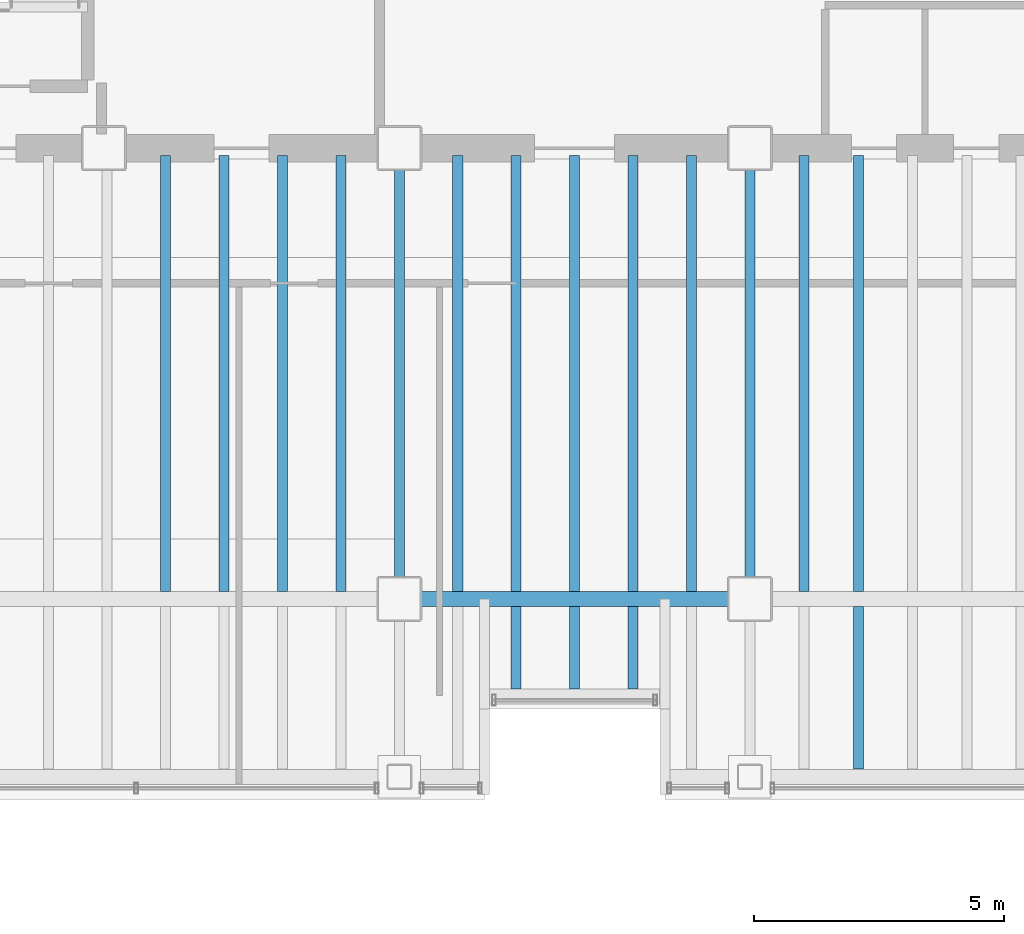
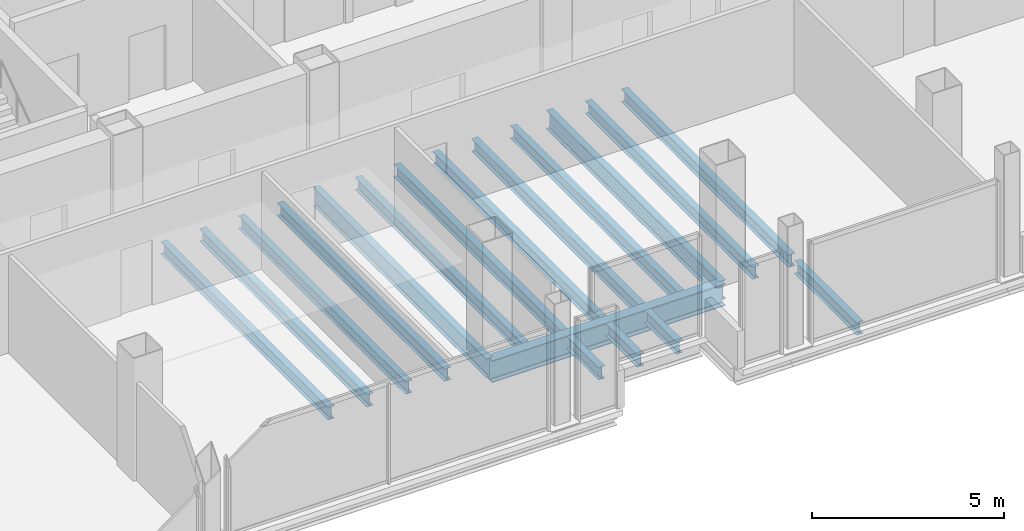
# One storey, part 5 of 19: 18 beams.
"""IFC4 building model written with IfcOpenShell, lengths in metres."""

import ifcopenshell
import ifcopenshell.guid

model = None  # the IFC model being written
_history = None  # IfcOwnerHistory: only IFC2X3 demands one
_inside = {}  # id of a spatial element -> (the spatial element, [elements in it])
_under = {}  # id of a project, library or spatial element -> (it, [spatial elements below it])
_declared = {}  # id of a project -> (the project, [libraries it declares])
_typed = {}  # id of a type object -> (the type object, [elements of that type])
_made_of = {}  # id of a material, layer set ... -> (it, [elements and type objects made of it])


def new_model(schema):
    """Start an empty IFC model of exactly this schema.

    Asked for "IFC4X3", IfcOpenShell would pick the latest addendum, in which some entities
    have other attributes; the version numbers below select the first issue.
    IFC2X3 requires an IfcOwnerHistory on every rooted entity: one is made here for all.
    """
    global model, _history
    if schema == "IFC4X3":
        model = ifcopenshell.file(schema_version=(4, 3, 0, 0))
    else:
        model = ifcopenshell.file(schema=schema)
    _inside.clear()
    _under.clear()
    _declared.clear()
    _typed.clear()
    _made_of.clear()
    _history = None
    if model.schema == "IFC2X3":
        org = make("IfcOrganization", Name="unknown")
        user = make(
            "IfcPersonAndOrganization",
            ThePerson=make("IfcPerson", FamilyName="unknown"),
            TheOrganization=org,
        )
        app = make(
            "IfcApplication",
            ApplicationDeveloper=org,
            Version="unknown",
            ApplicationFullName="unknown",
            ApplicationIdentifier="unknown",
        )
        _history = make(
            "IfcOwnerHistory",
            OwningUser=user,
            OwningApplication=app,
            ChangeAction="ADDED",
            CreationDate=0,
        )
    return model


def make(cls, **values):
    """One entity of the class cls with the attributes given. An attribute that is None is left unset."""
    return model.create_entity(
        cls, **{name: value for name, value in values.items() if value is not None}
    )


def rooted(cls, **values):
    """An entity with a GlobalId (a new one), such as an element, a storey or a relation."""
    return make(cls, GlobalId=ifcopenshell.guid.new(), OwnerHistory=_history, **values)


def si_unit(unit_type, name, prefix=None):
    """IfcSIUnit, for example si_unit("LENGTHUNIT", "METRE", prefix="MILLI")."""
    return make("IfcSIUnit", UnitType=unit_type, Prefix=prefix, Name=name)


def assignment(units):
    """IfcUnitAssignment: the units of a project."""
    return None if units is None else make("IfcUnitAssignment", Units=units)


def point(xyz):
    """IfcCartesianPoint."""
    return None if xyz is None else make("IfcCartesianPoint", Coordinates=xyz)


def direction(xyz):
    """IfcDirection."""
    return None if xyz is None else make("IfcDirection", DirectionRatios=xyz)


def frame(location, z_axis=None, x_axis=None):
    """IfcAxis2Placement3D, a coordinate frame: its origin and axes. An axis left out is left unset."""
    return make(
        "IfcAxis2Placement3D",
        Location=point(location),
        Axis=direction(z_axis),
        RefDirection=direction(x_axis),
    )


def frame_2d(location, x_axis=None):
    """IfcAxis2Placement2D, a coordinate frame in the plane: its origin and x axis."""
    return make(
        "IfcAxis2Placement2D", Location=point(location), RefDirection=direction(x_axis)
    )


def origin():
    """The frame at (0, 0, 0) with its axes left unset."""
    return frame((0.0, 0.0, 0.0))


def origin_2d():
    """The frame at (0, 0) in the plane with its x axis left unset."""
    return frame_2d((0.0, 0.0))


def place(relative_to, where):
    """IfcLocalPlacement: puts the frame where relative to a parent placement (None: the world)."""
    return make(
        "IfcLocalPlacement", PlacementRelTo=relative_to, RelativePlacement=where
    )


def context(
    kind, dimensions, precision=None, world=None, true_north=None, identifier=None
):
    """IfcGeometricRepresentationContext, for example the 3D "Model" context."""
    return make(
        "IfcGeometricRepresentationContext",
        ContextIdentifier=identifier,
        ContextType=kind,
        CoordinateSpaceDimension=dimensions,
        Precision=precision,
        WorldCoordinateSystem=world,
        TrueNorth=true_north,
    )


def subcontext(parent, identifier, kind, view, scale=None):
    """IfcGeometricRepresentationSubContext, for example "Body" below "Model"."""
    return make(
        "IfcGeometricRepresentationSubContext",
        ContextIdentifier=identifier,
        ContextType=kind,
        ParentContext=parent,
        TargetScale=scale,
        TargetView=view,
    )


def project(units=None, contexts=None):
    """IfcProject with its units and contexts."""
    return rooted(
        "IfcProject",
        Name="project",
        RepresentationContexts=contexts,
        UnitsInContext=assignment(units),
    )


def spatial(cls, under=None, at=None, **own):
    """A site, building, storey or space (cls), placed at a placement, below another one or the project."""
    s = rooted(cls, ObjectPlacement=at, **own)
    if under is not None:
        _under.setdefault(under.id(), (under, []))[1].append(s)
    return s


def profile(cls, at=None, kind="AREA", **sizes):
    """A parametric profile (cls). Its sizes go by their IFC names, for example OverallWidth=200.0."""
    return make(cls, ProfileType=kind, Position=at, **sizes)


def i_section(**sizes):
    """IfcIShapeProfileDef."""
    return profile("IfcIShapeProfileDef", **sizes)


def extrude(swept, where, along, depth):
    """IfcExtrudedAreaSolid: the profile swept, set in the frame where, extruded along a direction by depth."""
    return make(
        "IfcExtrudedAreaSolid",
        SweptArea=swept,
        Position=where,
        ExtrudedDirection=direction(along),
        Depth=depth,
    )


def shape(context_of_items, identifier, shape_type, items):
    """IfcShapeRepresentation: the items that make up one representation, for example the "Body"."""
    return make(
        "IfcShapeRepresentation",
        ContextOfItems=context_of_items,
        RepresentationIdentifier=identifier,
        RepresentationType=shape_type,
        Items=items,
    )


def material(Name=None, Category=None):
    """IfcMaterial."""
    return make("IfcMaterial", Name=Name, Category=Category)


def material_profile(
    of_material, cross_section, Name=None, Category=None, Priority=None
):
    """IfcMaterialProfile: a cross section and its material."""
    return make(
        "IfcMaterialProfile",
        Name=Name,
        Material=of_material,
        Profile=cross_section,
        Priority=Priority,
        Category=Category,
    )


def profile_set(profiles, Name=None, composite=None):
    """IfcMaterialProfileSet."""
    return make(
        "IfcMaterialProfileSet",
        Name=Name,
        MaterialProfiles=profiles,
        CompositeProfile=composite,
    )


def made_of(thing, what):
    """Note that an element or type object is made of a material, layer set ...; save() writes the relation."""
    if what is not None:
        _made_of.setdefault(what.id(), (what, []))[1].append(thing)
    return thing


def type_object(cls, material=None, **own):
    """A type object (cls), such as IfcWallType, which elements share."""
    return made_of(rooted(cls, **own), material)


def element(
    cls,
    number,
    at=None,
    inside=None,
    cuts=None,
    type_object=None,
    material=None,
    context=None,
    identifier="Body",
    shape_type=None,
    held_by="IfcProductDefinitionShape",
    body=None,
    shapes=None,
    **own,
):
    """One element of the class cls, such as IfcWall. Its Tag is "e" and its number.

    at: its placement. inside: the storey or other place that contains it. cuts: it is an
    opening in that element (IfcRelVoidsElement). A single representation is given by context,
    identifier, shape_type and body (its items); several are given by shapes. held_by: the class
    of the entity that holds the representations. save() writes the other relations.
    """
    e = rooted(cls, Tag="e%d" % number, ObjectPlacement=at, **own)
    if body is not None:
        shapes = [shape(context, identifier, shape_type, body)]
    if shapes is not None:
        e.Representation = make(held_by, Representations=shapes)
    if inside is not None:
        _inside.setdefault(inside.id(), (inside, []))[1].append(e)
    if cuts is not None:
        rooted(
            "IfcRelVoidsElement", RelatingBuildingElement=cuts, RelatedOpeningElement=e
        )
    if type_object is not None:
        _typed.setdefault(type_object.id(), (type_object, []))[1].append(e)
    return made_of(e, material)


def aggregate(whole, parts):
    """IfcRelAggregates: a whole, such as a stair, and the parts it consists of."""
    return rooted("IfcRelAggregates", RelatingObject=whole, RelatedObjects=parts)


def save(model, path):
    """Write the relations noted so far, then the file.

    IfcRelAggregates (storeys below a building ...), IfcRelContainedInSpatialStructure (elements
    in a storey), IfcRelDefinesByType, IfcRelAssociatesMaterial and IfcRelDeclares: one each for
    every whole, place, type object, material and project.
    """
    for whole, parts in _under.values():
        aggregate(whole, parts)
    for where, things in _inside.values():
        rooted(
            "IfcRelContainedInSpatialStructure",
            RelatedElements=things,
            RelatingStructure=where,
        )
    for kind, things in _typed.values():
        rooted("IfcRelDefinesByType", RelatedObjects=things, RelatingType=kind)
    for what, things in _made_of.values():
        rooted("IfcRelAssociatesMaterial", RelatedObjects=things, RelatingMaterial=what)
    for by, libraries in _declared.values():
        rooted("IfcRelDeclares", RelatingContext=by, RelatedDefinitions=libraries)
    model.write(path)


model = new_model("IFC4")

# Units and contexts
model_context = context("Model", 3, precision=1e-05, world=origin(), true_north=direction((0.0, 1.0)))
body_context = subcontext(model_context, "Body", "Model", "MODEL_VIEW")
ifc_project = project(units=[si_unit("LENGTHUNIT", "METRE"), si_unit("AREAUNIT", "SQUARE_METRE"), si_unit("VOLUMEUNIT", "CUBIC_METRE"), si_unit("PLANEANGLEUNIT", "RADIAN"), si_unit("MASSUNIT", "GRAM", prefix="KILO")], contexts=[model_context])

# Site, building, storey
site_placement = place(None, origin())
site = spatial("IfcSite", under=ifc_project, at=site_placement, CompositionType="ELEMENT")
building_placement = place(site_placement, origin())
building = spatial("IfcBuilding", under=site, at=building_placement, Name="Noeulbin Bourse Tower", CompositionType="ELEMENT")
storey_placement = place(building_placement, frame((0.0, 0.0, 146.10009765625)))
storey = spatial("IfcBuildingStorey", under=building, at=storey_placement, Name="L36", CompositionType="ELEMENT", Elevation=146.10009765625)

# Beams
ifc_material = material(Name="Steel S355", Category="steel")
ifc_material_profile_1 = material_profile(ifc_material, i_section(OverallWidth=0.199951171875, OverallDepth=0.60009765625, WebThickness=0.010986328125, FlangeThickness=0.01708984375, FilletRadius=0.02197265625, at=origin_2d()), Name="H-600x200x11x17", Category="LoadBearing")
ifc_profile_set_1 = profile_set([ifc_material_profile_1], Name="Steel S355")
beam_type_1 = type_object("IfcBeamType", Name="BM-GRD-600", PredefinedType="USERDEFINED", material=ifc_profile_set_1)
for number, where, z_axis, x_axis, name in (
    (1, (24.0, 20.0, -0.47998046875), (0.0, 1.0, 0.0), (-1.0, 0.0, 0.0), "Tower Primary Girder NS L36-2.2"),
    (2, (31.0, 20.0, -0.47998046875), (0.0, 1.0, 0.0), (-1.0, 0.0, 0.0), "Tower Primary Girder NS L36-3.2"),
):
    element("IfcBeam", number, at=place(storey_placement, frame(where, z_axis=z_axis, x_axis=x_axis)), inside=storey, type_object=beam_type_1, Name=name, ObjectType="GIRDER", PredefinedType="USERDEFINED", context=body_context, shape_type="SweptSolid", body=[
        extrude(i_section(OverallWidth=0.199951171875, OverallDepth=0.60009765625, WebThickness=0.010986328125, FlangeThickness=0.01708984375, FilletRadius=0.02197265625, at=origin_2d()), origin(), (0.0, 0.0, 1.0), 9.0),
    ])
ifc_material_profile_2 = material_profile(ifc_material, i_section(OverallWidth=0.300048828125, OverallDepth=0.699951171875, WebThickness=0.012939453125, FlangeThickness=0.02392578125, FilletRadius=0.02392578125, at=origin_2d()), Name="H-700x300x13x24", Category="LoadBearing")
ifc_profile_set_2 = profile_set([ifc_material_profile_2], Name="Steel S355")
beam_type_2 = type_object("IfcBeamType", Name="BM-GRD-700", PredefinedType="USERDEFINED", material=ifc_profile_set_2)
beam_1_placement = place(storey_placement, frame((24.0, 20.0, -0.530029296875), z_axis=(1.0, 0.0, 0.0), x_axis=(0.0, 1.0, 0.0)))
element("IfcBeam", 3, at=beam_1_placement, inside=storey, type_object=beam_type_2, Name="Tower Primary Girder EW L36-1.3", ObjectType="GIRDER", PredefinedType="USERDEFINED", context=body_context, shape_type="SweptSolid", body=[
    extrude(i_section(OverallWidth=0.300048828125, OverallDepth=0.699951171875, WebThickness=0.012939453125, FlangeThickness=0.02392578125, FilletRadius=0.02392578125, at=origin_2d()), origin(), (0.0, 0.0, 1.0), 7.0),
])
ifc_material_profile_3 = material_profile(ifc_material, i_section(OverallWidth=0.199951171875, OverallDepth=0.39990234375, WebThickness=0.008056640625, FlangeThickness=0.012939453125, FilletRadius=0.01611328125, at=origin_2d()), Name="H-400x200x8x13", Category="LoadBearing")
ifc_profile_set_3 = profile_set([ifc_material_profile_3], Name="Steel S355")
beam_type_3 = type_object("IfcBeamType", Name="BM-SEC-400", PredefinedType="BEAM", material=ifc_profile_set_3)
for number, where, z_axis, x_axis, name in (
    (4, (19.333251953125, 20.14990234375, -0.380126953125), (0.0, 1.0, 0.0), (-1.0, 0.0, 0.0), "Tower Composite Joist L36-14"),
    (5, (20.5, 20.14990234375, -0.380126953125), (0.0, 1.0, 0.0), (-1.0, 0.0, 0.0), "Tower Composite Joist L36-17"),
    (6, (21.666748046875, 20.14990234375, -0.380126953125), (0.0, 1.0, 0.0), (-1.0, 0.0, 0.0), "Tower Composite Joist L36-20"),
    (7, (22.833251953125, 20.14990234375, -0.380126953125), (0.0, 1.0, 0.0), (-1.0, 0.0, 0.0), "Tower Composite Joist L36-23"),
    (8, (25.166748046875, 20.14990234375, -0.380126953125), (0.0, 1.0, 0.0), (-1.0, 0.0, 0.0), "Tower Composite Joist L36-26"),
):
    element("IfcBeam", number, at=place(storey_placement, frame(where, z_axis=z_axis, x_axis=x_axis)), inside=storey, type_object=beam_type_3, Name=name, PredefinedType="BEAM", context=body_context, shape_type="SweptSolid", body=[
        extrude(i_section(OverallWidth=0.199951171875, OverallDepth=0.39990234375, WebThickness=0.008056640625, FlangeThickness=0.012939453125, FilletRadius=0.01611328125, at=origin_2d()), origin(), (0.0, 0.0, 1.0), 8.7001953125),
    ])
beam_2_placement = place(storey_placement, frame((26.333251953125, 18.199951171875, -0.380126953125), z_axis=(0.0, 1.0, 0.0), x_axis=(-1.0, 0.0, 0.0)))
element("IfcBeam", 9, at=beam_2_placement, inside=storey, type_object=beam_type_3, Name="Tower Composite Joist L36-28", PredefinedType="BEAM", context=body_context, shape_type="SweptSolid", body=[
    extrude(i_section(OverallWidth=0.199951171875, OverallDepth=0.39990234375, WebThickness=0.008056640625, FlangeThickness=0.012939453125, FilletRadius=0.01611328125, at=origin_2d()), origin(), (0.0, 0.0, 1.0), 1.650146484375),
])
beam_3_placement = place(storey_placement, frame((26.333251953125, 20.14990234375, -0.380126953125), z_axis=(0.0, 1.0, 0.0), x_axis=(-1.0, 0.0, 0.0)))
element("IfcBeam", 10, at=beam_3_placement, inside=storey, type_object=beam_type_3, Name="Tower Composite Joist L36-29", PredefinedType="BEAM", context=body_context, shape_type="SweptSolid", body=[
    extrude(i_section(OverallWidth=0.199951171875, OverallDepth=0.39990234375, WebThickness=0.008056640625, FlangeThickness=0.012939453125, FilletRadius=0.01611328125, at=origin_2d()), origin(), (0.0, 0.0, 1.0), 8.7001953125),
])
beam_4_placement = place(storey_placement, frame((27.5, 18.199951171875, -0.380126953125), z_axis=(0.0, 1.0, 0.0), x_axis=(-1.0, 0.0, 0.0)))
element("IfcBeam", 11, at=beam_4_placement, inside=storey, type_object=beam_type_3, Name="Tower Composite Joist L36-31", PredefinedType="BEAM", context=body_context, shape_type="SweptSolid", body=[
    extrude(i_section(OverallWidth=0.199951171875, OverallDepth=0.39990234375, WebThickness=0.008056640625, FlangeThickness=0.012939453125, FilletRadius=0.01611328125, at=origin_2d()), origin(), (0.0, 0.0, 1.0), 1.650146484375),
])
beam_5_placement = place(storey_placement, frame((27.5, 20.14990234375, -0.380126953125), z_axis=(0.0, 1.0, 0.0), x_axis=(-1.0, 0.0, 0.0)))
element("IfcBeam", 12, at=beam_5_placement, inside=storey, type_object=beam_type_3, Name="Tower Composite Joist L36-32", PredefinedType="BEAM", context=body_context, shape_type="SweptSolid", body=[
    extrude(i_section(OverallWidth=0.199951171875, OverallDepth=0.39990234375, WebThickness=0.008056640625, FlangeThickness=0.012939453125, FilletRadius=0.01611328125, at=origin_2d()), origin(), (0.0, 0.0, 1.0), 8.7001953125),
])
beam_6_placement = place(storey_placement, frame((28.666748046875, 18.199951171875, -0.380126953125), z_axis=(0.0, 1.0, 0.0), x_axis=(-1.0, 0.0, 0.0)))
element("IfcBeam", 13, at=beam_6_placement, inside=storey, type_object=beam_type_3, Name="Tower Composite Joist L36-34", PredefinedType="BEAM", context=body_context, shape_type="SweptSolid", body=[
    extrude(i_section(OverallWidth=0.199951171875, OverallDepth=0.39990234375, WebThickness=0.008056640625, FlangeThickness=0.012939453125, FilletRadius=0.01611328125, at=origin_2d()), origin(), (0.0, 0.0, 1.0), 1.650146484375),
])
for number, where, z_axis, x_axis, name in (
    (14, (28.666748046875, 20.14990234375, -0.380126953125), (0.0, 1.0, 0.0), (-1.0, 0.0, 0.0), "Tower Composite Joist L36-35"),
    (15, (29.833251953125, 20.14990234375, -0.380126953125), (0.0, 1.0, 0.0), (-1.0, 0.0, 0.0), "Tower Composite Joist L36-38"),
    (16, (32.083251953125, 20.14990234375, -0.380126953125), (0.0, 1.0, 0.0), (-1.0, 0.0, 0.0), "Tower Composite Joist L36-41"),
):
    element("IfcBeam", number, at=place(storey_placement, frame(where, z_axis=z_axis, x_axis=x_axis)), inside=storey, type_object=beam_type_3, Name=name, PredefinedType="BEAM", context=body_context, shape_type="SweptSolid", body=[
        extrude(i_section(OverallWidth=0.199951171875, OverallDepth=0.39990234375, WebThickness=0.008056640625, FlangeThickness=0.012939453125, FilletRadius=0.01611328125, at=origin_2d()), origin(), (0.0, 0.0, 1.0), 8.7001953125),
    ])
beam_7_placement = place(storey_placement, frame((33.166748046875, 16.60009765625, -0.380126953125), z_axis=(0.0, 1.0, 0.0), x_axis=(-1.0, 0.0, 0.0)))
element("IfcBeam", 17, at=beam_7_placement, inside=storey, type_object=beam_type_3, Name="Tower Composite Joist L36-43", PredefinedType="BEAM", context=body_context, shape_type="SweptSolid", body=[
    extrude(i_section(OverallWidth=0.199951171875, OverallDepth=0.39990234375, WebThickness=0.008056640625, FlangeThickness=0.012939453125, FilletRadius=0.01611328125, at=origin_2d()), origin(), (0.0, 0.0, 1.0), 3.25),
])
beam_8_placement = place(storey_placement, frame((33.166748046875, 20.14990234375, -0.380126953125), z_axis=(0.0, 1.0, 0.0), x_axis=(-1.0, 0.0, 0.0)))
element("IfcBeam", 18, at=beam_8_placement, inside=storey, type_object=beam_type_3, Name="Tower Composite Joist L36-44", PredefinedType="BEAM", context=body_context, shape_type="SweptSolid", body=[
    extrude(i_section(OverallWidth=0.199951171875, OverallDepth=0.39990234375, WebThickness=0.008056640625, FlangeThickness=0.012939453125, FilletRadius=0.01611328125, at=origin_2d()), origin(), (0.0, 0.0, 1.0), 8.7001953125),
])

save(model, "model.ifc")
